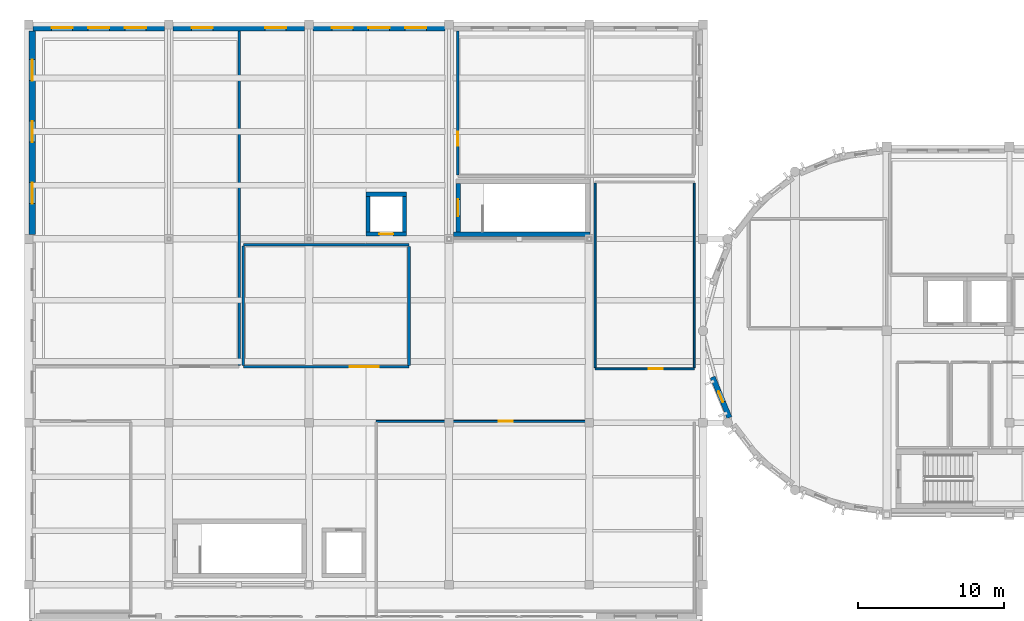
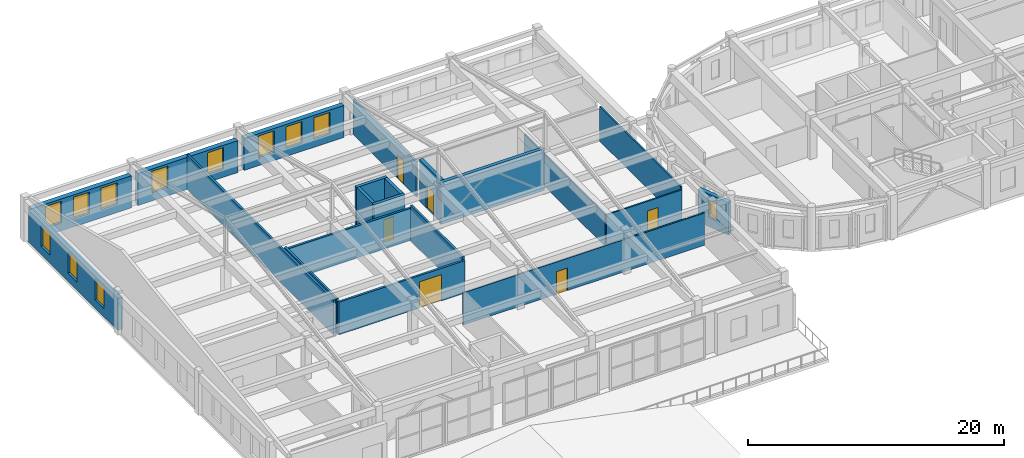
# One storey, part 15 of 29: 21 walls, 12 windows, 6 doors, 18 openings.
"""IFC4 building model written with IfcOpenShell, lengths in metres."""

from ifc_helpers import new_model, si_unit, direction, frame, frame_2d, origin, place, context, subcontext, project, spatial, rectangle, extrude, material, layer, layer_set, type_object, element, fill, save


model = new_model("IFC4")

# Units and contexts
model_context = context("Model", 3, precision=1e-05, world=origin(), true_north=direction((0.0, 1.0)))
body_context = subcontext(model_context, "Body", "Model", "MODEL_VIEW")
ifc_project = project(units=[si_unit("LENGTHUNIT", "METRE"), si_unit("AREAUNIT", "SQUARE_METRE"), si_unit("VOLUMEUNIT", "CUBIC_METRE"), si_unit("PLANEANGLEUNIT", "RADIAN"), si_unit("MASSUNIT", "GRAM", prefix="KILO")], contexts=[model_context])

# Site, building, storey
site_placement = place(None, origin())
site = spatial("IfcSite", under=ifc_project, at=site_placement, CompositionType="ELEMENT")
building_placement = place(site_placement, origin())
building = spatial("IfcBuilding", under=site, at=building_placement, Name="Tarnavel Promenade Courthouse", CompositionType="ELEMENT")
storey_placement = place(building_placement, frame((0.0, 0.0, 22.800048828125)))
storey = spatial("IfcBuildingStorey", under=building, at=storey_placement, Name="L06", CompositionType="ELEMENT", Elevation=22.800048828125)

# Wall, opening, door
ifc_material_1 = material(Name="Acoustic Insulated Gypsum Stud Partition", Category="gypsum")
ifc_layer_1 = layer(ifc_material_1, 0.1650390625)
ifc_layer_set_1 = layer_set([ifc_layer_1], Name="Acoustic Insulated Gypsum Stud Partition")
wall_type_1 = type_object("IfcWallType", Name="Acoustic Insulated Gypsum Stud Partition WL-CHM-165 (165 mm)", PredefinedType="PARTITIONING", material=ifc_layer_set_1)
wall_1_placement = place(storey_placement, frame((29.39990234375, 102.492431640625, 0.0), z_axis=(0.0, 0.0, 1.0), x_axis=(0.0, 1.0, 0.0)))
wall_1 = element("IfcWall", 1, at=wall_1_placement, inside=storey, type_object=wall_type_1, Name="L06 Judges' Chambers West Suite Partition 0788", PredefinedType="PARTITIONING", context=body_context, shape_type="SweptSolid", body=[
    extrude(rectangle(XDim=9.853515625, YDim=0.1650390625, at=frame_2d((4.9267578125, 0.0))), origin(), (0.0, 0.0, 1.0), 3.349853515625),
])
opening_1_placement = place(wall_1_placement, frame((1.984619140625, 0.0, 0.0)))
opening_1 = element("IfcOpeningElement", 2, at=opening_1_placement, cuts=wall_1, Name="Opening ID-04", PredefinedType="OPENING", context=body_context, shape_type="SweptSolid", body=[
    extrude(rectangle(XDim=0.97998046875, YDim=2.199951171875, at=frame_2d((0.489990234375, 1.10009765625))), frame((0.0, 0.092529296875, 0.0), z_axis=(0.0, -1.0, 0.0), x_axis=(1.0, 0.0, 0.0)), (0.0, 0.0, 1.0), 0.18505859375),
])
ifc_material_2 = material(Name="Solid Oak Judges Chambers Door")
door_type_1 = type_object("IfcDoorType", Name="Solid Oak Judges Chambers Door (DR-CHM-0980x2200)", OperationType="NOTDEFINED", PredefinedType="DOOR", material=ifc_material_2)
door_1_placement = place(opening_1_placement, origin())
door_1 = element("IfcDoor", 3, at=door_1_placement, inside=storey, type_object=door_type_1, Name="L06 Judges' Chambers West Suite Door 0225", OperationType="SINGLE_SWING_RIGHT", OverallHeight=2.199951171875, OverallWidth=0.97998046875, PredefinedType="DOOR", context=body_context, shape_type="SweptSolid", body=[
    extrude(rectangle(XDim=0.97998046875, YDim=2.199951171875, at=frame_2d((0.489990234375, 1.10009765625))), frame((0.0, 0.02490234375, 0.0), z_axis=(0.0, -1.0, 0.0), x_axis=(1.0, 0.0, 0.0)), (0.0, 0.0, 1.0), 0.050048828125),
])
fill(opening_1, door_1)

# Wall
ifc_material_3 = material(Name="Concrete C40/50", Category="concrete")
ifc_layer_2 = layer(ifc_material_3, 0.280029296875)
ifc_layer_set_2 = layer_set([ifc_layer_2], Name="Concrete C40/50")
wall_type_2 = type_object("IfcWallType", Name="Concrete C40/50 WL-SHR-280 (280 mm)", PredefinedType="SHEAR", material=ifc_layer_set_2)
wall_2_placement = place(storey_placement, frame((23.10009765625, 101.159912109375, 0.0), z_axis=(0.0, 0.0, 1.0), x_axis=(1.0, 0.0, 0.0)))
element("IfcWall", 4, at=wall_2_placement, inside=storey, type_object=wall_type_2, Name="L06 L-JUD2 Lift Shaft North Wall", PredefinedType="SHEAR", context=body_context, shape_type="SweptSolid", body=[
    extrude(rectangle(XDim=2.7998046875, YDim=0.280029296875, at=frame_2d((1.39990234375, 0.0))), origin(), (0.0, 0.0, 1.0), 3.969970703125),
])

# Wall, opening, door
wall_3_placement = place(storey_placement, frame((25.89990234375, 98.43994140625, 0.0), z_axis=(0.0, 0.0, 1.0), x_axis=(-1.0, 0.0, 0.0)))
wall_3 = element("IfcWall", 5, at=wall_3_placement, inside=storey, type_object=wall_type_2, Name="L06 L-JUD2 Lift Shaft South Wall", PredefinedType="SHEAR", context=body_context, shape_type="SweptSolid", body=[
    extrude(rectangle(XDim=2.7998046875, YDim=0.280029296875, at=frame_2d((1.39990234375, 0.0))), origin(), (0.0, 0.0, 1.0), 3.969970703125),
])
opening_2_placement = place(wall_3_placement, frame((0.925048828125, 0.0, 0.0)))
opening_2 = element("IfcOpeningElement", 6, at=opening_2_placement, cuts=wall_3, Name="Opening LD-03", PredefinedType="OPENING", context=body_context, shape_type="SweptSolid", body=[
    extrude(rectangle(XDim=0.949951171875, YDim=2.14990234375, at=frame_2d((0.47509765625, 1.074951171875))), frame((0.0, 0.14990234375, 0.0), z_axis=(0.0, -1.0, 0.0), x_axis=(1.0, 0.0, 0.0)), (0.0, 0.0, 1.0), 0.300048828125),
])
ifc_material_4 = material(Name="Stainless Steel Judicial Lift Landing Sliding Door", Category="steel")
door_type_2 = type_object("IfcDoorType", Name="Stainless Steel Judicial Lift Landing Sliding Door (LD-JUD-0950x2150)", OperationType="NOTDEFINED", PredefinedType="DOOR", material=ifc_material_4)
door_2_placement = place(opening_2_placement, origin())
door_2 = element("IfcDoor", 7, at=door_2_placement, inside=storey, type_object=door_type_2, Name="L06 L-JUD2 Lift Sliding Landing Door", OperationType="DOUBLE_DOOR_SLIDING", OverallHeight=2.14990234375, OverallWidth=0.949951171875, PredefinedType="DOOR", context=body_context, shape_type="SweptSolid", body=[
    extrude(rectangle(XDim=0.949951171875, YDim=2.14990234375, at=frame_2d((0.47509765625, 1.074951171875))), frame((0.0, 0.02490234375, 0.0), z_axis=(0.0, -1.0, 0.0), x_axis=(1.0, 0.0, 0.0)), (0.0, 0.0, 1.0), 0.050048828125),
])
fill(opening_2, door_2)

# Walls
for number, where, z_axis, x_axis, name in (
    (8, (23.239990234375, 98.580078125, 0.0), (0.0, 0.0, 1.0), (0.0, 1.0, 0.0), "L06 L-JUD2 Lift Shaft West Wall"),
    (9, (25.760009765625, 101.02001953125, 0.0), (0.0, 0.0, 1.0), (0.0, -1.0, 0.0), "L06 L-JUD2 Lift Shaft East Wall"),
):
    element("IfcWall", number, at=place(storey_placement, frame(where, z_axis=z_axis, x_axis=x_axis)), inside=storey, type_object=wall_type_2, Name=name, PredefinedType="SHEAR", context=body_context, shape_type="SweptSolid", body=[
        extrude(rectangle(XDim=2.43994140625, YDim=0.280029296875, at=frame_2d((1.219970703125, 0.0))), origin(), (0.0, 0.0, 1.0), 3.969970703125),
    ])
ifc_layer_3 = layer(ifc_material_3, 0.320068359375)
ifc_layer_set_3 = layer_set([ifc_layer_3], Name="Concrete C40/50")
wall_type_3 = type_object("IfcWallType", Name="Concrete C40/50 WL-SHR-320 (320 mm)", PredefinedType="SHEAR", material=ifc_layer_set_3)
wall_4_placement = place(storey_placement, frame((38.43994140625, 98.419921875, 0.0), z_axis=(0.0, 0.0, 1.0), x_axis=(-1.0, 0.0, 0.0)))
element("IfcWall", 10, at=wall_4_placement, inside=storey, type_object=wall_type_3, Name="L06 ST-07 Shear Core South Wall", PredefinedType="SHEAR", context=body_context, shape_type="SweptSolid", body=[
    extrude(rectangle(XDim=9.33984375, YDim=0.320068359375, at=frame_2d((4.669921875, 0.0))), origin(), (0.0, 0.0, 1.0), 3.969970703125),
])

# Wall, opening, door
wall_5_placement = place(storey_placement, frame((29.419921875, 98.580078125, 0.0), z_axis=(0.0, 0.0, 1.0), x_axis=(0.0, 1.0, 0.0)))
wall_5 = element("IfcWall", 11, at=wall_5_placement, inside=storey, type_object=wall_type_3, Name="L06 ST-07 Shear Core West Landing Wall", PredefinedType="SHEAR", context=body_context, shape_type="SweptSolid", body=[
    extrude(rectangle(XDim=3.31982421875, YDim=0.320068359375, at=frame_2d((1.659912109375, 0.0))), origin(), (0.0, 0.0, 1.0), 3.969970703125),
])
opening_3_placement = place(wall_5_placement, frame((1.0849609375, 0.0, 0.0)))
opening_3 = element("IfcOpeningElement", 12, at=opening_3_placement, cuts=wall_5, Name="Opening FD-01", PredefinedType="OPENING", context=body_context, shape_type="SweptSolid", body=[
    extrude(rectangle(XDim=1.14990234375, YDim=2.199951171875, at=frame_2d((0.574951171875, 1.10009765625))), frame((0.0, 0.169921875, 0.0), z_axis=(0.0, -1.0, 0.0), x_axis=(1.0, 0.0, 0.0)), (0.0, 0.0, 1.0), 0.340087890625),
])
ifc_material_5 = material(Name="Steel Fire-Rated Stair Core Door", Category="steel")
door_type_3 = type_object("IfcDoorType", Name="Steel Fire-Rated Stair Core Door (DR-ST-1150x2200)", OperationType="NOTDEFINED", PredefinedType="DOOR", material=ifc_material_5)
door_3_placement = place(opening_3_placement, origin())
door_3 = element("IfcDoor", 13, at=door_3_placement, inside=storey, type_object=door_type_3, Name="L06 ST-07 Protected Exit Stair Door", OperationType="SINGLE_SWING_LEFT", OverallHeight=2.199951171875, OverallWidth=1.14990234375, PredefinedType="DOOR", context=body_context, shape_type="SweptSolid", body=[
    extrude(rectangle(XDim=1.14990234375, YDim=2.199951171875, at=frame_2d((0.574951171875, 1.10009765625))), frame((0.0, 0.02490234375, 0.0), z_axis=(0.0, -1.0, 0.0), x_axis=(1.0, 0.0, 0.0)), (0.0, 0.0, 1.0), 0.050048828125),
])
fill(opening_3, door_3)

# Walls
ifc_material_6 = material(Name="Double-Stud Acoustic Courtroom Partition Assembly", Category="gypsum")
ifc_layer_4 = layer(ifc_material_6, 0.18505859375)
ifc_layer_set_4 = layer_set([ifc_layer_4], Name="Double-Stud Acoustic Courtroom Partition Assembly")
wall_type_4 = type_object("IfcWallType", Name="Double-Stud Acoustic Courtroom Partition Assembly WL-CRT-185 (185 mm)", PredefinedType="PARTITIONING", material=ifc_layer_set_4)
wall_6_placement = place(storey_placement, frame((14.41796875, 112.345947265625, 0.0), z_axis=(0.0, 0.0, 1.0), x_axis=(0.0, -1.0, 0.0)))
element("IfcWall", 14, at=wall_6_placement, inside=storey, type_object=wall_type_4, Name="L06 Commercial Arbitration Courtroom Partition 0782", PredefinedType="PARTITIONING", context=body_context, shape_type="SweptSolid", body=[
    extrude(rectangle(XDim=22.903564453125, YDim=0.18505859375, at=frame_2d((11.45166015625, 0.0))), origin(), (0.0, 0.0, 1.0), 3.300048828125),
])
wall_7_placement = place(storey_placement, frame((14.697998046875, 97.699951171875, 0.0), z_axis=(0.0, 0.0, 1.0), x_axis=(1.0, 0.0, 0.0)))
element("IfcWall", 15, at=wall_7_placement, inside=storey, type_object=wall_type_4, Name="L06 Tax and Customs Hearing Courtroom Partition 0783", PredefinedType="PARTITIONING", context=body_context, shape_type="SweptSolid", body=[
    extrude(rectangle(XDim=11.362060546875, YDim=0.18505859375, at=frame_2d((5.68115234375, 0.0))), origin(), (0.0, 0.0, 1.0), 3.050048828125),
])

# Wall, opening, door
wall_8_placement = place(storey_placement, frame((26.06005859375, 89.340087890625, 0.0), z_axis=(0.0, 0.0, 1.0), x_axis=(-1.0, 0.0, 0.0)))
wall_8 = element("IfcWall", 16, at=wall_8_placement, inside=storey, type_object=wall_type_4, Name="L06 Tax and Customs Hearing Courtroom Partition 0784", PredefinedType="PARTITIONING", context=body_context, shape_type="SweptSolid", body=[
    extrude(rectangle(XDim=11.362060546875, YDim=0.18505859375, at=frame_2d((5.68115234375, 0.0))), origin(), (0.0, 0.0, 1.0), 3.099853515625),
])
opening_4_placement = place(wall_8_placement, frame((2.08251953125, 0.0, 0.0)))
opening_4 = element("IfcOpeningElement", 17, at=opening_4_placement, cuts=wall_8, Name="Opening ID-01", PredefinedType="OPENING", context=body_context, shape_type="SweptSolid", body=[
    extrude(rectangle(XDim=2.0, YDim=2.5, at=frame_2d((1.0, 1.25))), frame((0.0, 0.1025390625, 0.0), z_axis=(0.0, -1.0, 0.0), x_axis=(1.0, 0.0, 0.0)), (0.0, 0.0, 1.0), 0.205078125),
])
ifc_material_7 = material(Name="Solid Oak Acoustic Courtroom Double Door")
door_type_4 = type_object("IfcDoorType", Name="Solid Oak Acoustic Courtroom Double Door (DR-CRT-2000x2500)", OperationType="NOTDEFINED", PredefinedType="DOOR", material=ifc_material_7)
door_4_placement = place(opening_4_placement, origin())
door_4 = element("IfcDoor", 18, at=door_4_placement, inside=storey, type_object=door_type_4, Name="L06 Tax and Customs Hearing Courtroom Door 0224", OperationType="DOUBLE_DOOR_SINGLE_SWING", OverallHeight=2.5, OverallWidth=2.0, PredefinedType="DOOR", context=body_context, shape_type="SweptSolid", body=[
    extrude(rectangle(XDim=2.0, YDim=2.5, at=frame_2d((1.0, 1.25))), frame((0.0, 0.02490234375, 0.0), z_axis=(0.0, -1.0, 0.0), x_axis=(1.0, 0.0, 0.0)), (0.0, 0.0, 1.0), 0.050048828125),
])
fill(opening_4, door_4)

# Walls
for number, where, z_axis, x_axis, name in (
    (19, (14.697998046875, 89.4423828125, 0.0), (0.0, 0.0, 1.0), (0.0, 1.0, 0.0), "L06 Tax and Customs Hearing Courtroom Partition 0785"),
    (20, (26.06005859375, 97.597412109375, 0.0), (0.0, 0.0, 1.0), (0.0, -1.0, 0.0), "L06 Tax and Customs Hearing Courtroom Partition 0786"),
):
    element("IfcWall", number, at=place(storey_placement, frame(where, z_axis=z_axis, x_axis=x_axis)), inside=storey, type_object=wall_type_4, Name=name, PredefinedType="PARTITIONING", context=body_context, shape_type="SweptSolid", body=[
        extrude(rectangle(XDim=8.155029296875, YDim=0.18505859375, at=frame_2d((4.07763671875, 0.0))), origin(), (0.0, 0.0, 1.0), 3.349853515625),
    ])

# Wall, openings, windows
ifc_material_8 = material(Name="Limestone Ashlar Faced Insulated Brick Masonry", Category="masonry")
ifc_layer_5 = layer(ifc_material_8, 0.43994140625)
ifc_layer_set_5 = layer_set([ifc_layer_5], Name="Limestone Ashlar Faced Insulated Brick Masonry")
wall_type_5 = type_object("IfcWallType", Name="Limestone Ashlar Faced Insulated Brick Masonry WL-EXT-440 (440 mm)", PredefinedType="STANDARD", material=ifc_layer_set_5)
wall_9_placement = place(storey_placement, frame((0.2919921875, 112.56005859375, 0.0), z_axis=(0.0, 0.0, 1.0), x_axis=(1.0, 0.0, 0.0)))
wall_9 = element("IfcWall", 21, at=wall_9_placement, inside=storey, type_object=wall_type_5, Name="L06 Trial Wing North Ashlar Facade 0327", PredefinedType="STANDARD", context=body_context, shape_type="SweptSolid", body=[
    extrude(rectangle(XDim=9.01611328125, YDim=0.43994140625, at=frame_2d((4.508056640625, 0.0))), origin(), (0.0, 0.0, 1.0), 3.050048828125),
])
opening_5_placement = place(wall_9_placement, frame((1.269775390625, 0.0, 0.780029296875)))
opening_5 = element("IfcOpeningElement", 22, at=opening_5_placement, cuts=wall_9, Name="Opening W-03", PredefinedType="OPENING", context=body_context, shape_type="SweptSolid", body=[
    extrude(rectangle(XDim=1.449951171875, YDim=2.050048828125, at=frame_2d((0.72509765625, 1.02490234375))), frame((0.0, 0.22998046875, 0.0), z_axis=(0.0, -1.0, 0.0), x_axis=(1.0, 0.0, 0.0)), (0.0, 0.0, 1.0), 0.4599609375),
])
opening_6_placement = place(wall_9_placement, frame((3.782958984375, 0.0, 0.780029296875)))
opening_6 = element("IfcOpeningElement", 23, at=opening_6_placement, cuts=wall_9, Name="Opening W-03", PredefinedType="OPENING", context=body_context, shape_type="SweptSolid", body=[
    extrude(rectangle(XDim=1.449951171875, YDim=2.050048828125, at=frame_2d((0.72509765625, 1.02490234375))), frame((0.0, 0.22998046875, 0.0), z_axis=(0.0, -1.0, 0.0), x_axis=(1.0, 0.0, 0.0)), (0.0, 0.0, 1.0), 0.4599609375),
])
opening_7_placement = place(wall_9_placement, frame((6.29638671875, 0.0, 0.780029296875)))
opening_7 = element("IfcOpeningElement", 24, at=opening_7_placement, cuts=wall_9, Name="Opening W-03", PredefinedType="OPENING", context=body_context, shape_type="SweptSolid", body=[
    extrude(rectangle(XDim=1.449951171875, YDim=2.050048828125, at=frame_2d((0.72509765625, 1.02490234375))), frame((0.0, 0.22998046875, 0.0), z_axis=(0.0, -1.0, 0.0), x_axis=(1.0, 0.0, 0.0)), (0.0, 0.0, 1.0), 0.4599609375),
])
ifc_material_9 = material(Name="Triple Low-E Glazed Bronze-Clad Window Assembly")
window_type_1 = type_object("IfcWindowType", Name="Triple-Glazed Bronze-Clad Timber-Aluminium WIN-APP-1450x2050", PartitioningType="SINGLE_PANEL", PredefinedType="WINDOW", material=ifc_material_9)
window_1_placement = place(opening_5_placement, origin())
window_1 = element("IfcWindow", 25, at=window_1_placement, inside=storey, type_object=window_type_1, Name="L06 Exterior Window 0363", OverallHeight=2.050048828125, OverallWidth=1.449951171875, PartitioningType="SINGLE_PANEL", PredefinedType="WINDOW", context=body_context, shape_type="SweptSolid", body=[
    extrude(rectangle(XDim=1.449951171875, YDim=2.050048828125, at=frame_2d((0.72509765625, 1.02490234375))), frame((0.0, 0.030029296875, 0.0), z_axis=(0.0, -1.0, 0.0), x_axis=(1.0, 0.0, 0.0)), (0.0, 0.0, 1.0), 0.06005859375),
])
fill(opening_5, window_1)
window_2_placement = place(opening_6_placement, origin())
window_2 = element("IfcWindow", 26, at=window_2_placement, inside=storey, type_object=window_type_1, Name="L06 Exterior Window 0364", OverallHeight=2.050048828125, OverallWidth=1.449951171875, PartitioningType="SINGLE_PANEL", PredefinedType="WINDOW", context=body_context, shape_type="SweptSolid", body=[
    extrude(rectangle(XDim=1.449951171875, YDim=2.050048828125, at=frame_2d((0.72509765625, 1.02490234375))), frame((0.0, 0.030029296875, 0.0), z_axis=(0.0, -1.0, 0.0), x_axis=(1.0, 0.0, 0.0)), (0.0, 0.0, 1.0), 0.06005859375),
])
fill(opening_6, window_2)
window_3_placement = place(opening_7_placement, origin())
window_3 = element("IfcWindow", 27, at=window_3_placement, inside=storey, type_object=window_type_1, Name="L06 Exterior Window 0365", OverallHeight=2.050048828125, OverallWidth=1.449951171875, PartitioningType="SINGLE_PANEL", PredefinedType="WINDOW", context=body_context, shape_type="SweptSolid", body=[
    extrude(rectangle(XDim=1.449951171875, YDim=2.050048828125, at=frame_2d((0.72509765625, 1.02490234375))), frame((0.0, 0.030029296875, 0.0), z_axis=(0.0, -1.0, 0.0), x_axis=(1.0, 0.0, 0.0)), (0.0, 0.0, 1.0), 0.06005859375),
])
fill(opening_7, window_3)

wall_10_placement = place(storey_placement, frame((9.89208984375, 112.56005859375, 0.0), z_axis=(0.0, 0.0, 1.0), x_axis=(1.0, 0.0, 0.0)))
wall_10 = element("IfcWall", 28, at=wall_10_placement, inside=storey, type_object=wall_type_5, Name="L06 Trial Wing North Ashlar Facade 0328", PredefinedType="STANDARD", context=body_context, shape_type="SweptSolid", body=[
    extrude(rectangle(XDim=9.015869140625, YDim=0.43994140625, at=frame_2d((4.5078125, 0.0))), origin(), (0.0, 0.0, 1.0), 3.050048828125),
])
opening_8_placement = place(wall_10_placement, frame((1.269775390625, 0.0, 0.780029296875)))
opening_8 = element("IfcOpeningElement", 29, at=opening_8_placement, cuts=wall_10, Name="Opening W-03", PredefinedType="OPENING", context=body_context, shape_type="SweptSolid", body=[
    extrude(rectangle(XDim=1.449951171875, YDim=2.050048828125, at=frame_2d((0.72509765625, 1.02490234375))), frame((0.0, 0.22998046875, 0.0), z_axis=(0.0, -1.0, 0.0), x_axis=(1.0, 0.0, 0.0)), (0.0, 0.0, 1.0), 0.4599609375),
])
opening_9_placement = place(wall_10_placement, frame((6.29638671875, 0.0, 0.780029296875)))
opening_9 = element("IfcOpeningElement", 30, at=opening_9_placement, cuts=wall_10, Name="Opening W-03", PredefinedType="OPENING", context=body_context, shape_type="SweptSolid", body=[
    extrude(rectangle(XDim=1.449951171875, YDim=2.050048828125, at=frame_2d((0.72509765625, 1.02490234375))), frame((0.0, 0.22998046875, 0.0), z_axis=(0.0, -1.0, 0.0), x_axis=(1.0, 0.0, 0.0)), (0.0, 0.0, 1.0), 0.4599609375),
])
window_4_placement = place(opening_8_placement, origin())
window_4 = element("IfcWindow", 31, at=window_4_placement, inside=storey, type_object=window_type_1, Name="L06 Exterior Window 0366", OverallHeight=2.050048828125, OverallWidth=1.449951171875, PartitioningType="SINGLE_PANEL", PredefinedType="WINDOW", context=body_context, shape_type="SweptSolid", body=[
    extrude(rectangle(XDim=1.449951171875, YDim=2.050048828125, at=frame_2d((0.72509765625, 1.02490234375))), frame((0.0, 0.030029296875, 0.0), z_axis=(0.0, -1.0, 0.0), x_axis=(1.0, 0.0, 0.0)), (0.0, 0.0, 1.0), 0.06005859375),
])
fill(opening_8, window_4)
window_5_placement = place(opening_9_placement, origin())
window_5 = element("IfcWindow", 32, at=window_5_placement, inside=storey, type_object=window_type_1, Name="L06 Exterior Window 0367", OverallHeight=2.050048828125, OverallWidth=1.449951171875, PartitioningType="SINGLE_PANEL", PredefinedType="WINDOW", context=body_context, shape_type="SweptSolid", body=[
    extrude(rectangle(XDim=1.449951171875, YDim=2.050048828125, at=frame_2d((0.72509765625, 1.02490234375))), frame((0.0, 0.030029296875, 0.0), z_axis=(0.0, -1.0, 0.0), x_axis=(1.0, 0.0, 0.0)), (0.0, 0.0, 1.0), 0.06005859375),
])
fill(opening_9, window_5)

wall_11_placement = place(storey_placement, frame((19.491943359375, 112.56005859375, 0.0), z_axis=(0.0, 0.0, 1.0), x_axis=(1.0, 0.0, 0.0)))
wall_11 = element("IfcWall", 33, at=wall_11_placement, inside=storey, type_object=wall_type_5, Name="L06 Trial Wing North Ashlar Facade 0329", PredefinedType="STANDARD", context=body_context, shape_type="SweptSolid", body=[
    extrude(rectangle(XDim=9.01611328125, YDim=0.43994140625, at=frame_2d((4.508056640625, 0.0))), origin(), (0.0, 0.0, 1.0), 3.050048828125),
])
opening_10_placement = place(wall_11_placement, frame((1.269775390625, 0.0, 0.780029296875)))
opening_10 = element("IfcOpeningElement", 34, at=opening_10_placement, cuts=wall_11, Name="Opening W-03", PredefinedType="OPENING", context=body_context, shape_type="SweptSolid", body=[
    extrude(rectangle(XDim=1.449951171875, YDim=2.050048828125, at=frame_2d((0.72509765625, 1.02490234375))), frame((0.0, 0.22998046875, 0.0), z_axis=(0.0, -1.0, 0.0), x_axis=(1.0, 0.0, 0.0)), (0.0, 0.0, 1.0), 0.4599609375),
])
opening_11_placement = place(wall_11_placement, frame((3.782958984375, 0.0, 0.780029296875)))
opening_11 = element("IfcOpeningElement", 35, at=opening_11_placement, cuts=wall_11, Name="Opening W-03", PredefinedType="OPENING", context=body_context, shape_type="SweptSolid", body=[
    extrude(rectangle(XDim=1.449951171875, YDim=2.050048828125, at=frame_2d((0.72509765625, 1.02490234375))), frame((0.0, 0.22998046875, 0.0), z_axis=(0.0, -1.0, 0.0), x_axis=(1.0, 0.0, 0.0)), (0.0, 0.0, 1.0), 0.4599609375),
])
opening_12_placement = place(wall_11_placement, frame((6.29638671875, 0.0, 0.780029296875)))
opening_12 = element("IfcOpeningElement", 36, at=opening_12_placement, cuts=wall_11, Name="Opening W-03", PredefinedType="OPENING", context=body_context, shape_type="SweptSolid", body=[
    extrude(rectangle(XDim=1.449951171875, YDim=2.050048828125, at=frame_2d((0.72509765625, 1.02490234375))), frame((0.0, 0.22998046875, 0.0), z_axis=(0.0, -1.0, 0.0), x_axis=(1.0, 0.0, 0.0)), (0.0, 0.0, 1.0), 0.4599609375),
])
window_6_placement = place(opening_10_placement, origin())
window_6 = element("IfcWindow", 37, at=window_6_placement, inside=storey, type_object=window_type_1, Name="L06 Exterior Window 0368", OverallHeight=2.050048828125, OverallWidth=1.449951171875, PartitioningType="SINGLE_PANEL", PredefinedType="WINDOW", context=body_context, shape_type="SweptSolid", body=[
    extrude(rectangle(XDim=1.449951171875, YDim=2.050048828125, at=frame_2d((0.72509765625, 1.02490234375))), frame((0.0, 0.030029296875, 0.0), z_axis=(0.0, -1.0, 0.0), x_axis=(1.0, 0.0, 0.0)), (0.0, 0.0, 1.0), 0.06005859375),
])
fill(opening_10, window_6)
window_7_placement = place(opening_11_placement, origin())
window_7 = element("IfcWindow", 38, at=window_7_placement, inside=storey, type_object=window_type_1, Name="L06 Exterior Window 0369", OverallHeight=2.050048828125, OverallWidth=1.449951171875, PartitioningType="SINGLE_PANEL", PredefinedType="WINDOW", context=body_context, shape_type="SweptSolid", body=[
    extrude(rectangle(XDim=1.449951171875, YDim=2.050048828125, at=frame_2d((0.72509765625, 1.02490234375))), frame((0.0, 0.030029296875, 0.0), z_axis=(0.0, -1.0, 0.0), x_axis=(1.0, 0.0, 0.0)), (0.0, 0.0, 1.0), 0.06005859375),
])
fill(opening_11, window_7)
window_8_placement = place(opening_12_placement, origin())
window_8 = element("IfcWindow", 39, at=window_8_placement, inside=storey, type_object=window_type_1, Name="L06 Exterior Window 0370", OverallHeight=2.050048828125, OverallWidth=1.449951171875, PartitioningType="SINGLE_PANEL", PredefinedType="WINDOW", context=body_context, shape_type="SweptSolid", body=[
    extrude(rectangle(XDim=1.449951171875, YDim=2.050048828125, at=frame_2d((0.72509765625, 1.02490234375))), frame((0.0, 0.030029296875, 0.0), z_axis=(0.0, -1.0, 0.0), x_axis=(1.0, 0.0, 0.0)), (0.0, 0.0, 1.0), 0.06005859375),
])
fill(opening_12, window_8)

wall_12_placement = place(storey_placement, frame((0.239990234375, 98.39208984375, 0.0), z_axis=(0.0, 0.0, 1.0), x_axis=(0.0, 1.0, 0.0)))
wall_12 = element("IfcWall", 40, at=wall_12_placement, inside=storey, type_object=wall_type_5, Name="L06 Trial Wing West Ashlar Facade 0334", PredefinedType="STANDARD", context=body_context, shape_type="SweptSolid", body=[
    extrude(rectangle(XDim=13.955810546875, YDim=0.43994140625, at=frame_2d((6.97802734375, 0.0))), origin(), (0.0, 0.0, 1.0), 3.050048828125),
])
opening_13_placement = place(wall_12_placement, frame((2.11962890625, 0.0, 0.780029296875)))
opening_13 = element("IfcOpeningElement", 41, at=opening_13_placement, cuts=wall_12, Name="Opening W-03", PredefinedType="OPENING", context=body_context, shape_type="SweptSolid", body=[
    extrude(rectangle(XDim=1.449951171875, YDim=2.050048828125, at=frame_2d((0.72509765625, 1.02490234375))), frame((0.0, 0.22998046875, 0.0), z_axis=(0.0, -1.0, 0.0), x_axis=(1.0, 0.0, 0.0)), (0.0, 0.0, 1.0), 0.4599609375),
])
opening_14_placement = place(wall_12_placement, frame((6.3330078125, 0.0, 0.780029296875)))
opening_14 = element("IfcOpeningElement", 42, at=opening_14_placement, cuts=wall_12, Name="Opening W-03", PredefinedType="OPENING", context=body_context, shape_type="SweptSolid", body=[
    extrude(rectangle(XDim=1.449951171875, YDim=2.050048828125, at=frame_2d((0.72509765625, 1.02490234375))), frame((0.0, 0.22998046875, 0.0), z_axis=(0.0, -1.0, 0.0), x_axis=(1.0, 0.0, 0.0)), (0.0, 0.0, 1.0), 0.4599609375),
])
opening_15_placement = place(wall_12_placement, frame((10.54638671875, 0.0, 0.780029296875)))
opening_15 = element("IfcOpeningElement", 43, at=opening_15_placement, cuts=wall_12, Name="Opening W-03", PredefinedType="OPENING", context=body_context, shape_type="SweptSolid", body=[
    extrude(rectangle(XDim=1.449951171875, YDim=2.050048828125, at=frame_2d((0.72509765625, 1.02490234375))), frame((0.0, 0.22998046875, 0.0), z_axis=(0.0, -1.0, 0.0), x_axis=(1.0, 0.0, 0.0)), (0.0, 0.0, 1.0), 0.4599609375),
])
window_9_placement = place(opening_13_placement, origin())
window_9 = element("IfcWindow", 44, at=window_9_placement, inside=storey, type_object=window_type_1, Name="L06 Exterior Window 0382", OverallHeight=2.050048828125, OverallWidth=1.449951171875, PartitioningType="SINGLE_PANEL", PredefinedType="WINDOW", context=body_context, shape_type="SweptSolid", body=[
    extrude(rectangle(XDim=1.449951171875, YDim=2.050048828125, at=frame_2d((0.72509765625, 1.02490234375))), frame((0.0, 0.030029296875, 0.0), z_axis=(0.0, -1.0, 0.0), x_axis=(1.0, 0.0, 0.0)), (0.0, 0.0, 1.0), 0.06005859375),
])
fill(opening_13, window_9)
window_10_placement = place(opening_14_placement, origin())
window_10 = element("IfcWindow", 45, at=window_10_placement, inside=storey, type_object=window_type_1, Name="L06 Exterior Window 0383", OverallHeight=2.050048828125, OverallWidth=1.449951171875, PartitioningType="SINGLE_PANEL", PredefinedType="WINDOW", context=body_context, shape_type="SweptSolid", body=[
    extrude(rectangle(XDim=1.449951171875, YDim=2.050048828125, at=frame_2d((0.72509765625, 1.02490234375))), frame((0.0, 0.030029296875, 0.0), z_axis=(0.0, -1.0, 0.0), x_axis=(1.0, 0.0, 0.0)), (0.0, 0.0, 1.0), 0.06005859375),
])
fill(opening_14, window_10)
window_11_placement = place(opening_15_placement, origin())
window_11 = element("IfcWindow", 46, at=window_11_placement, inside=storey, type_object=window_type_1, Name="L06 Exterior Window 0384", OverallHeight=2.050048828125, OverallWidth=1.449951171875, PartitioningType="SINGLE_PANEL", PredefinedType="WINDOW", context=body_context, shape_type="SweptSolid", body=[
    extrude(rectangle(XDim=1.449951171875, YDim=2.050048828125, at=frame_2d((0.72509765625, 1.02490234375))), frame((0.0, 0.030029296875, 0.0), z_axis=(0.0, -1.0, 0.0), x_axis=(1.0, 0.0, 0.0)), (0.0, 0.0, 1.0), 0.06005859375),
])
fill(opening_15, window_11)

# Wall, opening, door
ifc_material_10 = material(Name="Metal-Stud Acoustic Gypsum Partition", Category="gypsum")
ifc_layer_6 = layer(ifc_material_10, 0.135009765625)
ifc_layer_set_6 = layer_set([ifc_layer_6], Name="Metal-Stud Acoustic Gypsum Partition")
wall_type_6 = type_object("IfcWallType", Name="Metal-Stud Acoustic Gypsum Partition WL-OFF-135 (135 mm)", PredefinedType="PARTITIONING", material=ifc_layer_set_6)
wall_13_placement = place(storey_placement, frame((45.60009765625, 89.199951171875, 0.0), z_axis=(0.0, 0.0, 1.0), x_axis=(-1.0, 0.0, 0.0)))
wall_13 = element("IfcWall", 47, at=wall_13_placement, inside=storey, type_object=wall_type_6, Name="L06 L06 Witness Waiting Room Partition 0791", PredefinedType="PARTITIONING", context=body_context, shape_type="SweptSolid", body=[
    extrude(rectangle(XDim=6.800048828125, YDim=0.135009765625, at=frame_2d((3.39990234375, 0.0))), origin(), (0.0, 0.0, 1.0), 3.074951171875),
])
opening_16_placement = place(wall_13_placement, frame((2.152587890625, 0.0, 0.0)))
opening_16 = element("IfcOpeningElement", 48, at=opening_16_placement, cuts=wall_13, Name="Opening ID-06", PredefinedType="OPENING", context=body_context, shape_type="SweptSolid", body=[
    extrude(rectangle(XDim=0.949951171875, YDim=2.14990234375, at=frame_2d((0.47509765625, 1.074951171875))), frame((0.0, 0.077392578125, 0.0), z_axis=(0.0, -1.0, 0.0), x_axis=(1.0, 0.0, 0.0)), (0.0, 0.0, 1.0), 0.155029296875),
])
ifc_material_11 = material(Name="Acoustic Timber Veneer Office Door", Category="wood")
door_type_5 = type_object("IfcDoorType", Name="Acoustic Timber Veneer Office Door (DR-OFF-0950x2150)", OperationType="NOTDEFINED", PredefinedType="DOOR", material=ifc_material_11)
door_5_placement = place(opening_16_placement, origin())
door_5 = element("IfcDoor", 49, at=door_5_placement, inside=storey, type_object=door_type_5, Name="L06 L06 Witness Waiting Room Door 0226", OperationType="SINGLE_SWING_LEFT", OverallHeight=2.14990234375, OverallWidth=0.949951171875, PredefinedType="DOOR", context=body_context, shape_type="SweptSolid", body=[
    extrude(rectangle(XDim=0.949951171875, YDim=2.14990234375, at=frame_2d((0.47509765625, 1.074951171875))), frame((0.0, 0.02490234375, 0.0), z_axis=(0.0, -1.0, 0.0), x_axis=(1.0, 0.0, 0.0)), (0.0, 0.0, 1.0), 0.050048828125),
])
fill(opening_16, door_5)

# Walls
wall_14_placement = place(storey_placement, frame((38.800048828125, 89.277587890625, 0.0), z_axis=(0.0, 0.0, 1.0), x_axis=(0.0, 1.0, 0.0)))
element("IfcWall", 50, at=wall_14_placement, inside=storey, type_object=wall_type_6, Name="L06 L06 Witness Waiting Room Partition 0792", PredefinedType="PARTITIONING", context=body_context, shape_type="SweptSolid", body=[
    extrude(rectangle(XDim=12.64501953125, YDim=0.135009765625, at=frame_2d((6.322509765625, 0.0))), origin(), (0.0, 0.0, 1.0), 3.050048828125),
])
wall_15_placement = place(storey_placement, frame((45.60009765625, 101.922607421875, 0.0), z_axis=(0.0, 0.0, 1.0), x_axis=(0.0, -1.0, 0.0)))
element("IfcWall", 51, at=wall_15_placement, inside=storey, type_object=wall_type_6, Name="L06 L06 Witness Waiting Room Partition 0793", PredefinedType="PARTITIONING", context=body_context, shape_type="SweptSolid", body=[
    extrude(rectangle(XDim=12.64501953125, YDim=0.135009765625, at=frame_2d((6.322509765625, 0.0))), origin(), (0.0, 0.0, 1.0), 3.324951171875),
])

# Wall, opening, door
wall_16_placement = place(storey_placement, frame((23.800048828125, 85.60009765625, 0.0), z_axis=(0.0, 0.0, 1.0), x_axis=(1.0, 0.0, 0.0)))
wall_16 = element("IfcWall", 52, at=wall_16_placement, inside=storey, type_object=wall_type_6, Name="L06 Appellate Research Fellows' Office Partition 0797", PredefinedType="PARTITIONING", context=body_context, shape_type="SweptSolid", body=[
    extrude(rectangle(XDim=21.800048828125, YDim=0.135009765625, at=frame_2d((10.89990234375, 0.0))), origin(), (0.0, 0.0, 1.0), 3.074951171875),
])
opening_17_placement = place(wall_16_placement, frame((8.409912109375, 0.0, 0.0)))
opening_17 = element("IfcOpeningElement", 53, at=opening_17_placement, cuts=wall_16, Name="Opening ID-06", PredefinedType="OPENING", context=body_context, shape_type="SweptSolid", body=[
    extrude(rectangle(XDim=0.949951171875, YDim=2.14990234375, at=frame_2d((0.47509765625, 1.074951171875))), frame((0.0, 0.077392578125, 0.0), z_axis=(0.0, -1.0, 0.0), x_axis=(1.0, 0.0, 0.0)), (0.0, 0.0, 1.0), 0.155029296875),
])
door_6_placement = place(opening_17_placement, origin())
door_6 = element("IfcDoor", 54, at=door_6_placement, inside=storey, type_object=door_type_5, Name="L06 Appellate Research Fellows' Office Door 0228", OperationType="SINGLE_SWING_LEFT", OverallHeight=2.14990234375, OverallWidth=0.949951171875, PredefinedType="DOOR", context=body_context, shape_type="SweptSolid", body=[
    extrude(rectangle(XDim=0.949951171875, YDim=2.14990234375, at=frame_2d((0.47509765625, 1.074951171875))), frame((0.0, 0.02490234375, 0.0), z_axis=(0.0, -1.0, 0.0), x_axis=(1.0, 0.0, 0.0)), (0.0, 0.0, 1.0), 0.050048828125),
])
fill(opening_17, door_6)

# Wall, opening, window
ifc_material_12 = material(Name="Patinated Copper-Bronze Insulated Drum Wall Assembly", Category="masonry")
ifc_layer_7 = layer(ifc_material_12, 0.364990234375)
ifc_layer_set_7 = layer_set([ifc_layer_7], Name="Patinated Copper-Bronze Insulated Drum Wall Assembly")
wall_type_7 = type_object("IfcWallType", Name="Patinated Copper-Bronze Insulated Drum Wall Assembly WL-DRUM-365 (365 mm)", PredefinedType="ELEMENTEDWALL", material=ifc_layer_set_7)
wall_17_placement = place(storey_placement, frame((46.8603515625, 88.634521484375, 0.0), z_axis=(0.0, 0.0, 1.0), x_axis=(0.382700732442, -0.923872366395, 0.0)))
wall_17 = element("IfcWall", 55, at=wall_17_placement, inside=storey, type_object=wall_type_7, Name="L06 W Copper Drum Chord Wall 08 0153", PredefinedType="ELEMENTEDWALL", context=body_context, shape_type="SweptSolid", body=[
    extrude(rectangle(XDim=3.00732421875, YDim=0.364990234375, at=frame_2d((1.503662109375, 0.0))), origin(), (0.0, 0.0, 1.0), 3.099853515625),
])
opening_18_placement = place(wall_17_placement, frame((1.06201171875, 0.0, 0.85009765625)))
opening_18 = element("IfcOpeningElement", 56, at=opening_18_placement, cuts=wall_17, Name="Opening W-09", PredefinedType="OPENING", context=body_context, shape_type="SweptSolid", body=[
    extrude(rectangle(XDim=0.800048828125, YDim=1.699951171875, at=frame_2d((0.39990234375, 0.85009765625))), frame((0.0, 0.1923828125, 0.0), z_axis=(0.0, -1.0, 0.0), x_axis=(1.0, 0.0, 0.0)), (0.0, 0.0, 1.0), 0.385009765625),
])
window_type_2 = type_object("IfcWindowType", Name="Triple-Glazed Bronze-Clad Timber-Aluminium WIN-DRM-0800x1700", PartitioningType="SINGLE_PANEL", PredefinedType="WINDOW", material=ifc_material_9)
window_12_placement = place(opening_18_placement, origin())
window_12 = element("IfcWindow", 57, at=window_12_placement, inside=storey, type_object=window_type_2, Name="L06 Exterior Window 0120", OverallHeight=1.699951171875, OverallWidth=0.800048828125, PartitioningType="SINGLE_PANEL", PredefinedType="WINDOW", context=body_context, shape_type="SweptSolid", body=[
    extrude(rectangle(XDim=0.800048828125, YDim=1.699951171875, at=frame_2d((0.39990234375, 0.85009765625))), frame((0.0, 0.030029296875, 0.0), z_axis=(0.0, -1.0, 0.0), x_axis=(1.0, 0.0, 0.0)), (0.0, 0.0, 1.0), 0.06005859375),
])
fill(opening_18, window_12)

save(model, "model.ifc")
